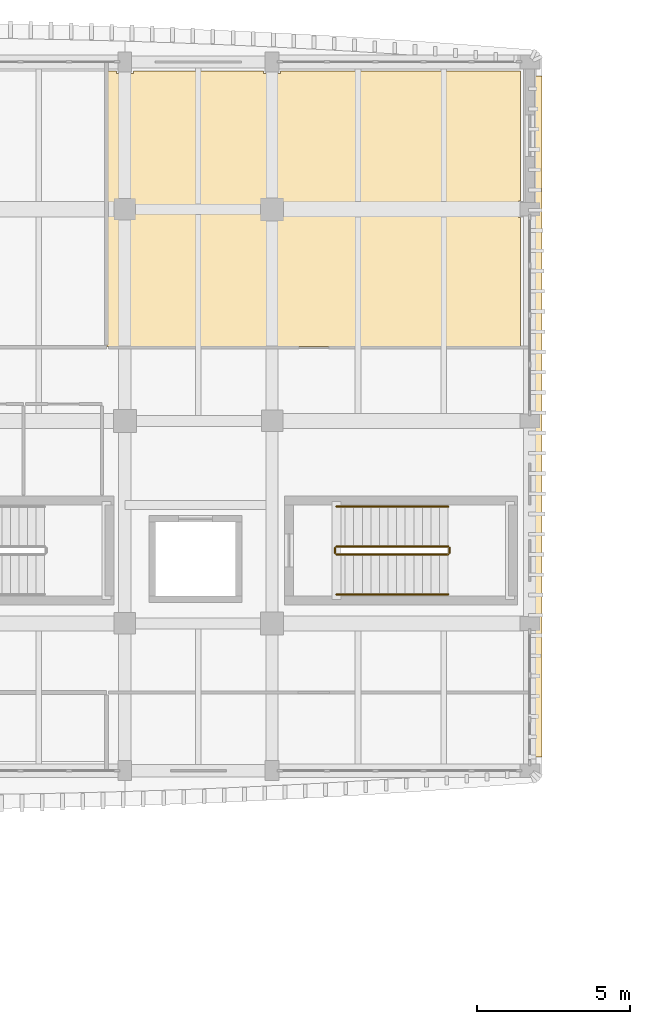
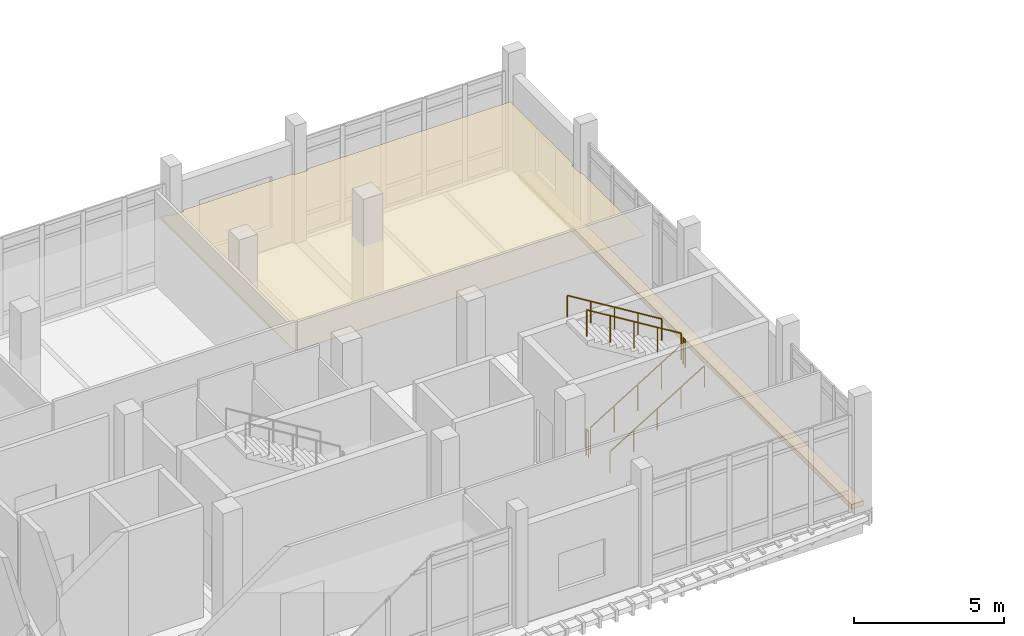
# One storey, part 29 of 37: 6 railings, 2 coverings.
"""IFC4 building model written with IfcOpenShell, lengths in metres."""

import ifcopenshell
import ifcopenshell.guid

model = None  # the IFC model being written
_history = None  # IfcOwnerHistory: only IFC2X3 demands one
_inside = {}  # id of a spatial element -> (the spatial element, [elements in it])
_under = {}  # id of a project, library or spatial element -> (it, [spatial elements below it])
_declared = {}  # id of a project -> (the project, [libraries it declares])
_typed = {}  # id of a type object -> (the type object, [elements of that type])
_made_of = {}  # id of a material, layer set ... -> (it, [elements and type objects made of it])


def new_model(schema):
    """Start an empty IFC model of exactly this schema.

    Asked for "IFC4X3", IfcOpenShell would pick the latest addendum, in which some entities
    have other attributes; the version numbers below select the first issue.
    IFC2X3 requires an IfcOwnerHistory on every rooted entity: one is made here for all.
    """
    global model, _history
    if schema == "IFC4X3":
        model = ifcopenshell.file(schema_version=(4, 3, 0, 0))
    else:
        model = ifcopenshell.file(schema=schema)
    _inside.clear()
    _under.clear()
    _declared.clear()
    _typed.clear()
    _made_of.clear()
    _history = None
    if model.schema == "IFC2X3":
        org = make("IfcOrganization", Name="unknown")
        user = make(
            "IfcPersonAndOrganization",
            ThePerson=make("IfcPerson", FamilyName="unknown"),
            TheOrganization=org,
        )
        app = make(
            "IfcApplication",
            ApplicationDeveloper=org,
            Version="unknown",
            ApplicationFullName="unknown",
            ApplicationIdentifier="unknown",
        )
        _history = make(
            "IfcOwnerHistory",
            OwningUser=user,
            OwningApplication=app,
            ChangeAction="ADDED",
            CreationDate=0,
        )
    return model


def make(cls, **values):
    """One entity of the class cls with the attributes given. An attribute that is None is left unset."""
    return model.create_entity(
        cls, **{name: value for name, value in values.items() if value is not None}
    )


def rooted(cls, **values):
    """An entity with a GlobalId (a new one), such as an element, a storey or a relation."""
    return make(cls, GlobalId=ifcopenshell.guid.new(), OwnerHistory=_history, **values)


def si_unit(unit_type, name, prefix=None):
    """IfcSIUnit, for example si_unit("LENGTHUNIT", "METRE", prefix="MILLI")."""
    return make("IfcSIUnit", UnitType=unit_type, Prefix=prefix, Name=name)


def assignment(units):
    """IfcUnitAssignment: the units of a project."""
    return None if units is None else make("IfcUnitAssignment", Units=units)


def point(xyz):
    """IfcCartesianPoint."""
    return None if xyz is None else make("IfcCartesianPoint", Coordinates=xyz)


def direction(xyz):
    """IfcDirection."""
    return None if xyz is None else make("IfcDirection", DirectionRatios=xyz)


def frame(location, z_axis=None, x_axis=None):
    """IfcAxis2Placement3D, a coordinate frame: its origin and axes. An axis left out is left unset."""
    return make(
        "IfcAxis2Placement3D",
        Location=point(location),
        Axis=direction(z_axis),
        RefDirection=direction(x_axis),
    )


def frame_2d(location, x_axis=None):
    """IfcAxis2Placement2D, a coordinate frame in the plane: its origin and x axis."""
    return make(
        "IfcAxis2Placement2D", Location=point(location), RefDirection=direction(x_axis)
    )


def origin():
    """The frame at (0, 0, 0) with its axes left unset."""
    return frame((0.0, 0.0, 0.0))


def origin_2d():
    """The frame at (0, 0) in the plane with its x axis left unset."""
    return frame_2d((0.0, 0.0))


def place(relative_to, where):
    """IfcLocalPlacement: puts the frame where relative to a parent placement (None: the world)."""
    return make(
        "IfcLocalPlacement", PlacementRelTo=relative_to, RelativePlacement=where
    )


def context(
    kind, dimensions, precision=None, world=None, true_north=None, identifier=None
):
    """IfcGeometricRepresentationContext, for example the 3D "Model" context."""
    return make(
        "IfcGeometricRepresentationContext",
        ContextIdentifier=identifier,
        ContextType=kind,
        CoordinateSpaceDimension=dimensions,
        Precision=precision,
        WorldCoordinateSystem=world,
        TrueNorth=true_north,
    )


def subcontext(parent, identifier, kind, view, scale=None):
    """IfcGeometricRepresentationSubContext, for example "Body" below "Model"."""
    return make(
        "IfcGeometricRepresentationSubContext",
        ContextIdentifier=identifier,
        ContextType=kind,
        ParentContext=parent,
        TargetScale=scale,
        TargetView=view,
    )


def project(units=None, contexts=None):
    """IfcProject with its units and contexts."""
    return rooted(
        "IfcProject",
        Name="project",
        RepresentationContexts=contexts,
        UnitsInContext=assignment(units),
    )


def spatial(cls, under=None, at=None, **own):
    """A site, building, storey or space (cls), placed at a placement, below another one or the project."""
    s = rooted(cls, ObjectPlacement=at, **own)
    if under is not None:
        _under.setdefault(under.id(), (under, []))[1].append(s)
    return s


def polyline(points):
    """IfcPolyline through the points."""
    return make("IfcPolyline", Points=[point(p) for p in points])


def profile(cls, at=None, kind="AREA", **sizes):
    """A parametric profile (cls). Its sizes go by their IFC names, for example OverallWidth=200.0."""
    return make(cls, ProfileType=kind, Position=at, **sizes)


def circle(**sizes):
    """IfcCircleProfileDef."""
    return profile("IfcCircleProfileDef", **sizes)


def outline(outer, holes=None, kind="AREA"):
    """IfcArbitraryClosedProfileDef: a profile drawn as a closed curve; with holes, ...WithVoids."""
    if holes is None:
        return make("IfcArbitraryClosedProfileDef", ProfileType=kind, OuterCurve=outer)
    return make(
        "IfcArbitraryProfileDefWithVoids",
        ProfileType=kind,
        OuterCurve=outer,
        InnerCurves=holes,
    )


def extrude(swept, where, along, depth):
    """IfcExtrudedAreaSolid: the profile swept, set in the frame where, extruded along a direction by depth."""
    return make(
        "IfcExtrudedAreaSolid",
        SweptArea=swept,
        Position=where,
        ExtrudedDirection=direction(along),
        Depth=depth,
    )


def shape(context_of_items, identifier, shape_type, items):
    """IfcShapeRepresentation: the items that make up one representation, for example the "Body"."""
    return make(
        "IfcShapeRepresentation",
        ContextOfItems=context_of_items,
        RepresentationIdentifier=identifier,
        RepresentationType=shape_type,
        Items=items,
    )


def material(Name=None, Category=None):
    """IfcMaterial."""
    return make("IfcMaterial", Name=Name, Category=Category)


def layer(
    of_material, thickness, ventilated=None, Name=None, Category=None, Priority=None
):
    """IfcMaterialLayer: one layer of a wall or slab, of a material (None: an air gap)."""
    return make(
        "IfcMaterialLayer",
        Material=of_material,
        LayerThickness=thickness,
        IsVentilated=ventilated,
        Name=Name,
        Category=Category,
        Priority=Priority,
    )


def layer_set(layers, Name=None):
    """IfcMaterialLayerSet."""
    return make("IfcMaterialLayerSet", MaterialLayers=layers, LayerSetName=Name)


def made_of(thing, what):
    """Note that an element or type object is made of a material, layer set ...; save() writes the relation."""
    if what is not None:
        _made_of.setdefault(what.id(), (what, []))[1].append(thing)
    return thing


def type_object(cls, material=None, **own):
    """A type object (cls), such as IfcWallType, which elements share."""
    return made_of(rooted(cls, **own), material)


def element(
    cls,
    number,
    at=None,
    inside=None,
    cuts=None,
    type_object=None,
    material=None,
    context=None,
    identifier="Body",
    shape_type=None,
    held_by="IfcProductDefinitionShape",
    body=None,
    shapes=None,
    **own,
):
    """One element of the class cls, such as IfcWall. Its Tag is "e" and its number.

    at: its placement. inside: the storey or other place that contains it. cuts: it is an
    opening in that element (IfcRelVoidsElement). A single representation is given by context,
    identifier, shape_type and body (its items); several are given by shapes. held_by: the class
    of the entity that holds the representations. save() writes the other relations.
    """
    e = rooted(cls, Tag="e%d" % number, ObjectPlacement=at, **own)
    if body is not None:
        shapes = [shape(context, identifier, shape_type, body)]
    if shapes is not None:
        e.Representation = make(held_by, Representations=shapes)
    if inside is not None:
        _inside.setdefault(inside.id(), (inside, []))[1].append(e)
    if cuts is not None:
        rooted(
            "IfcRelVoidsElement", RelatingBuildingElement=cuts, RelatedOpeningElement=e
        )
    if type_object is not None:
        _typed.setdefault(type_object.id(), (type_object, []))[1].append(e)
    return made_of(e, material)


def aggregate(whole, parts):
    """IfcRelAggregates: a whole, such as a stair, and the parts it consists of."""
    return rooted("IfcRelAggregates", RelatingObject=whole, RelatedObjects=parts)


def save(model, path):
    """Write the relations noted so far, then the file.

    IfcRelAggregates (storeys below a building ...), IfcRelContainedInSpatialStructure (elements
    in a storey), IfcRelDefinesByType, IfcRelAssociatesMaterial and IfcRelDeclares: one each for
    every whole, place, type object, material and project.
    """
    for whole, parts in _under.values():
        aggregate(whole, parts)
    for where, things in _inside.values():
        rooted(
            "IfcRelContainedInSpatialStructure",
            RelatedElements=things,
            RelatingStructure=where,
        )
    for kind, things in _typed.values():
        rooted("IfcRelDefinesByType", RelatedObjects=things, RelatingType=kind)
    for what, things in _made_of.values():
        rooted("IfcRelAssociatesMaterial", RelatedObjects=things, RelatingMaterial=what)
    for by, libraries in _declared.values():
        rooted("IfcRelDeclares", RelatingContext=by, RelatedDefinitions=libraries)
    model.write(path)


model = new_model("IFC4")

# Units and contexts
model_context = context("Model", 3, precision=1e-05, world=origin(), true_north=direction((0.0, 1.0)))
body_context = subcontext(model_context, "Body", "Model", "MODEL_VIEW")
ifc_project = project(units=[si_unit("LENGTHUNIT", "METRE"), si_unit("AREAUNIT", "SQUARE_METRE"), si_unit("VOLUMEUNIT", "CUBIC_METRE"), si_unit("PLANEANGLEUNIT", "RADIAN"), si_unit("MASSUNIT", "GRAM", prefix="KILO")], contexts=[model_context])

# Site, building, storey
site_placement = place(None, origin())
site = spatial("IfcSite", under=ifc_project, at=site_placement, CompositionType="ELEMENT")
building_placement = place(site_placement, origin())
building = spatial("IfcBuilding", under=site, at=building_placement, Name="Dornvale Research Institute", CompositionType="ELEMENT")
storey_placement = place(building_placement, frame((0.0, 0.0, 29.39990234375)))
storey = spatial("IfcBuildingStorey", under=building, at=storey_placement, Name="L06", CompositionType="ELEMENT", Elevation=29.39990234375)

# Coverings
ifc_material_1 = material(Name="Mineral-Fibre Acoustic Lay-In Ceiling Tile System")
ifc_layer_1 = layer(ifc_material_1, 0.02001953125)
ifc_layer_set_1 = layer_set([ifc_layer_1], Name="Mineral-Fibre Acoustic Lay-In Ceiling Tile System")
covering_type_1 = type_object("IfcCoveringType", Name="Covering_Acoustic_Ceiling", PredefinedType="CEILING", material=ifc_layer_set_1)
covering_1_placement = place(storey_placement, frame((0.0, 0.0, 2.85009765625)))
element("IfcCovering", 1, at=covering_1_placement, inside=storey, type_object=covering_type_1, Name="L06 Visiting Fellows Office Suite L06 suspended ceiling", PredefinedType="CEILING", context=body_context, shape_type="SweptSolid", body=[
    extrude(outline(polyline([(33.27490234375, 121.72509765625), (33.27490234375, 121.800048828125), (41.10009765625, 121.800048828125), (41.10009765625, 117.574951171875), (41.02490234375, 117.574951171875), (41.02490234375, 117.02490234375), (41.10009765625, 117.02490234375), (41.10009765625, 112.820068359375), (27.6201171875, 112.820068359375), (27.6201171875, 121.800048828125), (27.925048828125, 121.800048828125), (27.925048828125, 121.72509765625), (28.47509765625, 121.72509765625), (28.47509765625, 121.800048828125), (32.72509765625, 121.800048828125), (32.72509765625, 121.72509765625), (33.27490234375, 121.72509765625)])), origin(), (0.0, 0.0, 1.0), 0.02001953125),
])
ifc_material_2 = material(Name="Polychrome Glazed Terracotta Visor Rib Ceramic", Category="masonry")
ifc_layer_2 = layer(ifc_material_2, 0.199951171875)
ifc_layer_set_2 = layer_set([ifc_layer_2], Name="Polychrome Glazed Terracotta Visor Rib Ceramic")
covering_type_2 = type_object("IfcCoveringType", Name="Covering_VisorBrim_Shelf", PredefinedType="CLADDING", material=ifc_layer_set_2)
covering_2_placement = place(storey_placement, frame((0.0, 0.0, -0.27978515625)))
element("IfcCovering", 2, at=covering_2_placement, inside=storey, type_object=covering_type_2, Name="L06 V5 canted bowed-brim visor hood #28", PredefinedType="CLADDING", context=body_context, shape_type="SweptSolid", body=[
    extrude(outline(polyline([(41.80322265625, 99.449951171875), (41.340087890625, 99.449951171875), (41.340087890625, 121.64990234375), (41.80322265625, 121.64990234375), (41.80322265625, 99.449951171875)])), origin(), (0.0, 0.0, 1.0), 0.199951171875),
])

# Railings
ifc_material_3 = material(Name="Galvanized Painted Tubular Steel Stair Rail", Category="steel")
ifc_layer_3 = layer(ifc_material_3, 0.050048828125)
ifc_layer_set_3 = layer_set([ifc_layer_3], Name="Galvanized Painted Tubular Steel Stair Rail")
railing_type_1 = type_object("IfcRailingType", Name="Railing_Stair_Guard_1100", PredefinedType="GUARDRAIL", material=ifc_layer_set_3)
railing_1_placement = place(storey_placement, frame((35.10009765625, 106.050048828125, 0.171630859375)))
element("IfcRailing", 3, at=railing_1_placement, inside=storey, type_object=railing_type_1, Name="L06 ST-2 stair guard 1", PredefinedType="GUARDRAIL", context=body_context, shape_type="SweptSolid", body=[
    extrude(circle(Radius=0.02392578125, at=origin_2d()), frame((0.0, 0.0, 1.076171875), z_axis=(0.852850264322, 0.0, 0.5221555579), x_axis=(0.0, 1.0, 0.0)), (0.0, 0.0, 1.0), 4.267822265625),
    extrude(circle(Radius=0.02099609375, at=origin_2d()), origin(), (0.0, 0.0, 1.0), 1.052001953125),
    extrude(circle(Radius=0.02099609375, at=origin_2d()), frame((0.909912109375, 0.0, 0.55712890625)), (0.0, 0.0, 1.0), 1.052001953125),
    extrude(circle(Radius=0.02099609375, at=origin_2d()), frame((1.81982421875, 0.0, 1.1142578125)), (0.0, 0.0, 1.0), 1.052001953125),
    extrude(circle(Radius=0.02099609375, at=origin_2d()), frame((2.72998046875, 0.0, 1.67138671875)), (0.0, 0.0, 1.0), 1.052001953125),
    extrude(circle(Radius=0.02099609375, at=origin_2d()), frame((3.639892578125, 0.0, 2.228515625)), (0.0, 0.0, 1.0), 1.052001953125),
])
railing_2_placement = place(storey_placement, frame((38.7900390625, 106.10009765625, 2.400146484375)))
element("IfcRailing", 4, at=railing_2_placement, inside=storey, type_object=railing_type_1, Name="L06 ST-2 stair guard 2", PredefinedType="GUARDRAIL", context=body_context, shape_type="SweptSolid", body=[
    extrude(circle(Radius=0.02392578125, at=origin_2d()), frame((0.0, 0.0, 1.076171875), z_axis=(0.0, 1.0, 0.0), x_axis=(-1.0, 0.0, 0.0)), (0.0, 0.0, 1.0), 0.159912109375),
    extrude(circle(Radius=0.02099609375, at=origin_2d()), origin(), (0.0, 0.0, 1.0), 1.052001953125),
    extrude(circle(Radius=0.02099609375, at=origin_2d()), frame((0.0, 0.159912109375, 0.0)), (0.0, 0.0, 1.0), 1.052001953125),
])
railing_3_placement = place(storey_placement, frame((38.739990234375, 106.31005859375, 2.571533203125)))
element("IfcRailing", 5, at=railing_3_placement, inside=storey, type_object=railing_type_1, Name="L06 ST-2 stair guard 3", PredefinedType="GUARDRAIL", context=body_context, shape_type="SweptSolid", body=[
    extrude(circle(Radius=0.02392578125, at=origin_2d()), frame((0.0, 0.0, 1.076171875), z_axis=(-0.852850264322, 0.0, 0.5221555579), x_axis=(0.0, -1.0, 0.0)), (0.0, 0.0, 1.0), 4.267822265625),
    extrude(circle(Radius=0.02099609375, at=origin_2d()), origin(), (0.0, 0.0, 1.0), 1.052001953125),
    extrude(circle(Radius=0.02099609375, at=origin_2d()), frame((-0.909912109375, 0.0, 0.55712890625)), (0.0, 0.0, 1.0), 1.052001953125),
    extrude(circle(Radius=0.02099609375, at=origin_2d()), frame((-1.81982421875, 0.0, 1.1142578125)), (0.0, 0.0, 1.0), 1.052001953125),
    extrude(circle(Radius=0.02099609375, at=origin_2d()), frame((-2.72998046875, 0.0, 1.67138671875)), (0.0, 0.0, 1.0), 1.052001953125),
    extrude(circle(Radius=0.02099609375, at=origin_2d()), frame((-3.639892578125, 0.0, 2.228515625)), (0.0, 0.0, 1.0), 1.052001953125),
])
railing_4_placement = place(storey_placement, frame((35.050048828125, 106.10009765625, 0.0)))
element("IfcRailing", 6, at=railing_4_placement, inside=storey, type_object=railing_type_1, Name="L06 ST-2 stair guard 4", PredefinedType="GUARDRAIL", context=body_context, shape_type="SweptSolid", body=[
    extrude(circle(Radius=0.02392578125, at=origin_2d()), frame((0.0, 0.0, 1.076171875), z_axis=(0.0, 1.0, 0.0), x_axis=(-1.0, 0.0, 0.0)), (0.0, 0.0, 1.0), 0.159912109375),
    extrude(circle(Radius=0.02099609375, at=origin_2d()), origin(), (0.0, 0.0, 1.0), 1.052001953125),
    extrude(circle(Radius=0.02099609375, at=origin_2d()), frame((0.0, 0.159912109375, 0.0)), (0.0, 0.0, 1.0), 1.052001953125),
])
ifc_material_4 = material(Name="Galvanized Painted Tubular Steel Stair Rail", Category="steel")
ifc_layer_4 = layer(ifc_material_4, 0.044921875)
ifc_layer_set_4 = layer_set([ifc_layer_4], Name="Galvanized Painted Tubular Steel Stair Rail")
railing_type_2 = type_object("IfcRailingType", Name="Railing_Stair_Handrail_900", PredefinedType="HANDRAIL", material=ifc_layer_set_4)
railing_5_placement = place(storey_placement, frame((35.10009765625, 104.75, 0.171630859375)))
element("IfcRailing", 7, at=railing_5_placement, inside=storey, type_object=railing_type_2, Name="L06 ST-2 stair handrail 1", PredefinedType="HANDRAIL", context=body_context, shape_type="SweptSolid", body=[
    extrude(circle(Radius=0.02392578125, at=origin_2d()), frame((0.0, 0.0, 0.8759765625), z_axis=(0.852850264322, 0.0, 0.5221555579), x_axis=(0.0, 1.0, 0.0)), (0.0, 0.0, 1.0), 4.267822265625),
    extrude(circle(Radius=0.02099609375, at=origin_2d()), origin(), (0.0, 0.0, 1.0), 0.851806640625),
    extrude(circle(Radius=0.02099609375, at=origin_2d()), frame((0.909912109375, 0.0, 0.55712890625)), (0.0, 0.0, 1.0), 0.851806640625),
    extrude(circle(Radius=0.02099609375, at=origin_2d()), frame((1.81982421875, 0.0, 1.1142578125)), (0.0, 0.0, 1.0), 0.851806640625),
    extrude(circle(Radius=0.02099609375, at=origin_2d()), frame((2.72998046875, 0.0, 1.67138671875)), (0.0, 0.0, 1.0), 0.851806640625),
    extrude(circle(Radius=0.02099609375, at=origin_2d()), frame((3.639892578125, 0.0, 2.228515625)), (0.0, 0.0, 1.0), 0.851806640625),
])
railing_6_placement = place(storey_placement, frame((38.739990234375, 107.610107421875, 2.571533203125)))
element("IfcRailing", 8, at=railing_6_placement, inside=storey, type_object=railing_type_2, Name="L06 ST-2 stair handrail 2", PredefinedType="HANDRAIL", context=body_context, shape_type="SweptSolid", body=[
    extrude(circle(Radius=0.02392578125, at=origin_2d()), frame((0.0, 0.0, 0.8759765625), z_axis=(-0.852850264322, 0.0, 0.5221555579), x_axis=(0.0, -1.0, 0.0)), (0.0, 0.0, 1.0), 4.267822265625),
    extrude(circle(Radius=0.02099609375, at=origin_2d()), origin(), (0.0, 0.0, 1.0), 0.851806640625),
    extrude(circle(Radius=0.02099609375, at=origin_2d()), frame((-0.909912109375, 0.0, 0.55712890625)), (0.0, 0.0, 1.0), 0.851806640625),
    extrude(circle(Radius=0.02099609375, at=origin_2d()), frame((-1.81982421875, 0.0, 1.1142578125)), (0.0, 0.0, 1.0), 0.851806640625),
    extrude(circle(Radius=0.02099609375, at=origin_2d()), frame((-2.72998046875, 0.0, 1.67138671875)), (0.0, 0.0, 1.0), 0.851806640625),
    extrude(circle(Radius=0.02099609375, at=origin_2d()), frame((-3.639892578125, 0.0, 2.228515625)), (0.0, 0.0, 1.0), 0.851806640625),
])

save(model, "model.ifc")
